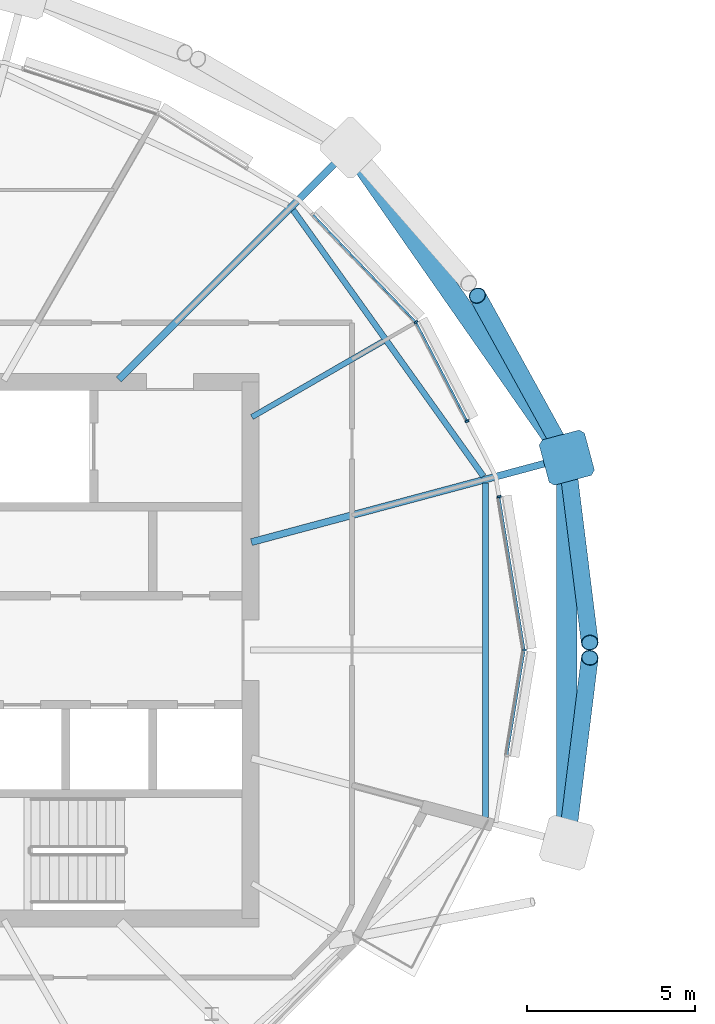
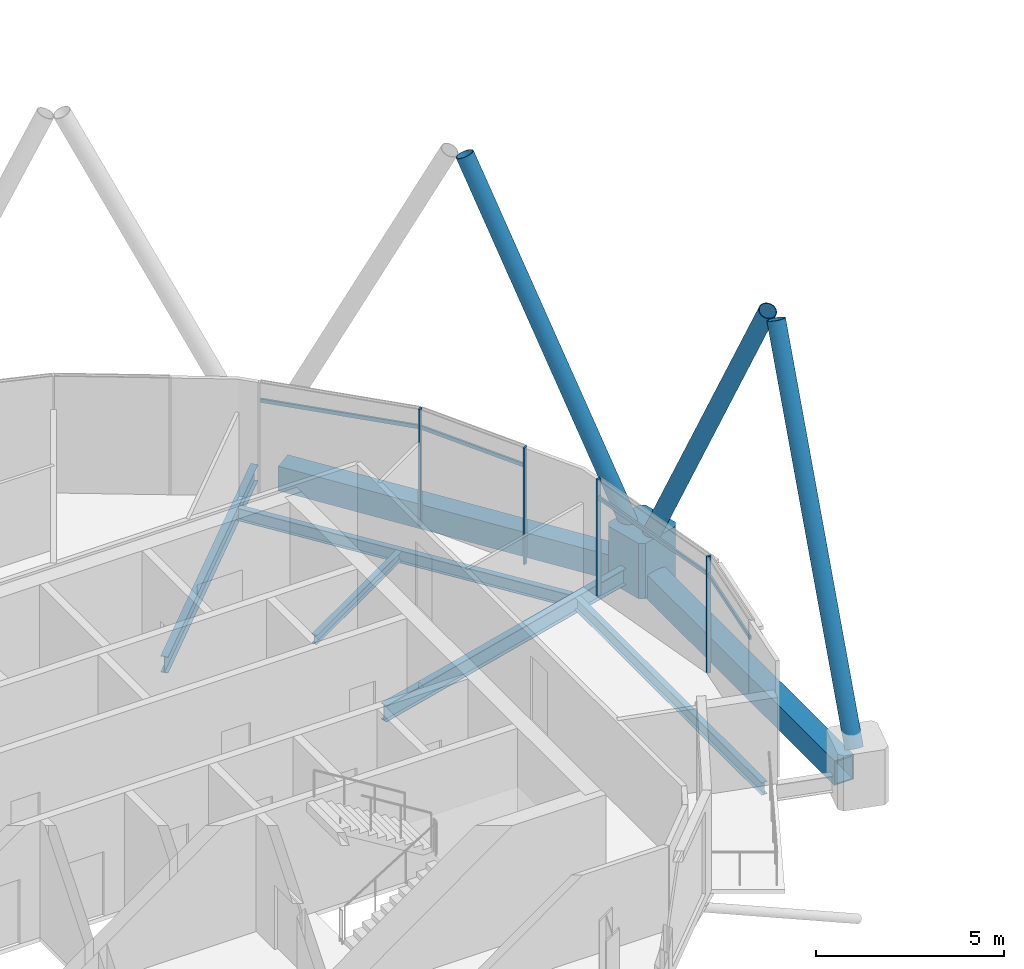
# One storey, part 7 of 31: 12 members, 7 beams, 1 element without a shape of its own.
"""IFC4 building model written with IfcOpenShell, lengths in metres."""

from ifc_helpers import new_model, si_unit, direction, frame, origin, origin_2d, place, context, subcontext, project, spatial, polyline, rectangle, hollow_rectangle, hollow_circle, i_section, outline, extrude, material, material_profile, profile_set, type_object, element, aggregate, save


model = new_model("IFC4")

# Units and contexts
model_context = context("Model", 3, precision=1e-05, world=origin(), true_north=direction((0.0, 1.0)))
body_context = subcontext(model_context, "Body", "Model", "MODEL_VIEW")
ifc_project = project(units=[si_unit("LENGTHUNIT", "METRE"), si_unit("AREAUNIT", "SQUARE_METRE"), si_unit("VOLUMEUNIT", "CUBIC_METRE"), si_unit("PLANEANGLEUNIT", "RADIAN"), si_unit("MASSUNIT", "GRAM", prefix="KILO")], contexts=[model_context])

# Site, building, storey
site_placement = place(None, origin())
site = spatial("IfcSite", under=ifc_project, at=site_placement, CompositionType="ELEMENT")
building_placement = place(site_placement, origin())
building = spatial("IfcBuilding", under=site, at=building_placement, Name="Rimbun Link Towers", CompositionType="ELEMENT")
storey_placement = place(building_placement, frame((0.0, 0.0, 244.699951171875)))
storey = spatial("IfcBuildingStorey", under=building, at=storey_placement, Name="L60", CompositionType="ELEMENT", Elevation=244.699951171875)

# Curtain wall, members
ifc_material_1 = material(Name="Aluminium 6063-T6 and low-iron glass", Category="aluminium")
curtain_wall_type = type_object("IfcCurtainWallType", Name="CW1-Z4 unitised vision wall (zone 4)", PredefinedType="NOTDEFINED", material=ifc_material_1)
curtain_wall_placement = place(storey_placement, origin())
curtain_wall = element("IfcCurtainWall", 1, at=curtain_wall_placement, inside=storey, type_object=curtain_wall_type, Name="CW1 L60 T1", PredefinedType="NOTDEFINED")
ifc_material_2 = material(Name="Aluminium 6063-T6", Category="aluminium")
ifc_material_profile_1 = material_profile(ifc_material_2, rectangle(XDim=0.1201171875, YDim=0.06005859375, at=origin_2d()), Name="MULLION 60X120")
ifc_profile_set_1 = profile_set([ifc_material_profile_1], Name="Aluminium 6063-T6")
member_type_1 = type_object("IfcMemberType", Name="CW1 mullion 60X120", PredefinedType="MULLION", material=ifc_profile_set_1)
member_1_placement = place(storey_placement, frame((-12.334228515625, 4.578125, 0.0), z_axis=(0.0, 0.0, 1.0), x_axis=(0.986747677327, 0.162262199201, 0.0)))
member_1 = element("IfcMember", 2, at=member_1_placement, type_object=member_type_1, Name="CW1 mullion", PredefinedType="MULLION", context=body_context, shape_type="SweptSolid", body=[
    extrude(rectangle(XDim=0.1201171875, YDim=0.06005859375, at=origin_2d()), origin(), (0.0, 0.0, 1.0), 3.800048828125),
])
member_2_placement = place(storey_placement, frame((-11.582275390625, 0.0, 0.0), z_axis=(0.0, 0.0, 1.0), x_axis=(1.0, 0.0, 0.0)))
member_2 = element("IfcMember", 3, at=member_2_placement, type_object=member_type_1, Name="CW1 mullion", PredefinedType="MULLION", context=body_context, shape_type="SweptSolid", body=[
    extrude(rectangle(XDim=0.1201171875, YDim=0.06005859375, at=origin_2d()), origin(), (0.0, 0.0, 1.0), 3.800048828125),
])
member_3_placement = place(storey_placement, frame((-14.816162109375, 9.783447265625, 0.0), z_axis=(0.0, 0.0, 1.0), x_axis=(0.813354276071, 0.581768701115, 0.0)))
member_3 = element("IfcMember", 4, at=member_3_placement, type_object=member_type_1, Name="CW1 mullion", PredefinedType="MULLION", context=body_context, shape_type="SweptSolid", body=[
    extrude(rectangle(XDim=0.1201171875, YDim=0.06005859375, at=origin_2d()), origin(), (0.0, 0.0, 1.0), 3.800048828125),
])
member_4_placement = place(storey_placement, frame((-13.287841796875, 6.8310546875, 0.0), z_axis=(0.0, 0.0, 1.0), x_axis=(0.888150898734, 0.459551935126, 0.0)))
member_4 = element("IfcMember", 5, at=member_4_placement, type_object=member_type_1, Name="CW1 mullion", PredefinedType="MULLION", context=body_context, shape_type="SweptSolid", body=[
    extrude(rectangle(XDim=0.1201171875, YDim=0.06005859375, at=origin_2d()), origin(), (0.0, 0.0, 1.0), 3.800048828125),
])
ifc_material_3 = material(Name="Aluminium 6063-T6", Category="aluminium")
ifc_material_profile_2 = material_profile(ifc_material_3, rectangle(XDim=0.06005859375, YDim=0.1201171875, at=origin_2d()), Name="TRANSOM 60X120")
ifc_profile_set_2 = profile_set([ifc_material_profile_2], Name="Aluminium 6063-T6")
member_type_2 = type_object("IfcMemberType", Name="CW1 transom 60X120", PredefinedType="USERDEFINED", material=ifc_profile_set_2)
member_5_placement = place(storey_placement, frame((-12.33154296875, 4.54833984375, 3.199951171875), z_axis=(0.162302085284, -0.986741117575, 0.0), x_axis=(0.986741117575, 0.162302085284, 0.0)))
member_5 = element("IfcMember", 6, at=member_5_placement, type_object=member_type_2, Name="CW1 transom", ObjectType="TRANSOM", PredefinedType="USERDEFINED", context=body_context, shape_type="SweptSolid", body=[
    extrude(rectangle(XDim=0.06005859375, YDim=0.1201171875, at=origin_2d()), origin(), (0.0, 0.0, 1.0), 4.56982421875),
])
member_6_placement = place(storey_placement, frame((-14.799560546875, 9.74853515625, 3.199951171875), z_axis=(0.459528996767, -0.888162767251, 0.0), x_axis=(0.888162767251, 0.459528996767, 0.0)))
member_6 = element("IfcMember", 7, at=member_6_placement, type_object=member_type_2, Name="CW1 transom", ObjectType="TRANSOM", PredefinedType="USERDEFINED", context=body_context, shape_type="SweptSolid", body=[
    extrude(rectangle(XDim=0.06005859375, YDim=0.1201171875, at=origin_2d()), origin(), (0.0, 0.0, 1.0), 3.255615234375),
])
member_7_placement = place(storey_placement, frame((-17.880126953125, 12.9775390625, 3.199951171875), z_axis=(0.692037083084, -0.721861950539, 0.0), x_axis=(0.721861950539, 0.692037083084, 0.0)))
member_7 = element("IfcMember", 8, at=member_7_placement, type_object=member_type_2, Name="CW1 transom", ObjectType="TRANSOM", PredefinedType="USERDEFINED", context=body_context, shape_type="SweptSolid", body=[
    extrude(rectangle(XDim=0.06005859375, YDim=0.1201171875, at=origin_2d()), origin(), (0.0, 0.0, 1.0), 4.3876953125),
])
member_8_placement = place(storey_placement, frame((-11.58984375, -0.0390625, 3.199951171875), z_axis=(-0.162304717263, -0.986740684655, 0.0), x_axis=(0.986740684655, -0.162304717263, 0.0)))
member_8 = element("IfcMember", 9, at=member_8_placement, type_object=member_type_2, Name="CW1 transom", ObjectType="TRANSOM", PredefinedType="USERDEFINED", context=body_context, shape_type="SweptSolid", body=[
    extrude(rectangle(XDim=0.06005859375, YDim=0.1201171875, at=origin_2d()), origin(), (0.0, 0.0, 1.0), 3.11962890625),
])
aggregate(curtain_wall, [member_1, member_2, member_3, member_4, member_5, member_6, member_7, member_8])

# Members
ifc_material_4 = material(Name="Steel S355J2H", Category="steel")
ifc_material_profile_3 = material_profile(ifc_material_4, hollow_circle(Radius=0.25390625, WallThickness=0.02001953125, at=origin_2d()), Name="Diagrid diagonal CHS 508x20")
ifc_profile_set_3 = profile_set([ifc_material_profile_3], Name="Steel S355J2H")
member_type_3 = type_object("IfcMemberType", Name="Diagrid diagonal CHS 508x20", PredefinedType="BRACE", material=ifc_profile_set_3)
member_9_placement = place(storey_placement, frame((-10.28955078125, 5.518310546875, 0.44580078125), z_axis=(0.055809660669, -0.449191118149, 0.891690877576), x_axis=(0.992369840819, 0.123296792472, 0.0)))
element("IfcMember", 10, at=member_9_placement, inside=storey, type_object=member_type_3, Name="Diagrid diagonal T1 L60-L63 01a", PredefinedType="BRACE", context=body_context, shape_type="SweptSolid", body=[
    extrude(hollow_circle(Radius=0.25390625, WallThickness=0.02001953125, at=origin_2d()), origin(), (0.0, 0.0, 1.0), 11.784912109375),
])
member_10_placement = place(storey_placement, frame((-10.42626953125, 5.939697265625, 0.446533203125), z_axis=(-0.217507737355, 0.393908545908, 0.893043359334), x_axis=(-0.875409479865, -0.483382087549, 0.0)))
element("IfcMember", 11, at=member_10_placement, inside=storey, type_object=member_type_3, Name="Diagrid diagonal T1 L60-L63 01b", PredefinedType="BRACE", context=body_context, shape_type="SweptSolid", body=[
    extrude(hollow_circle(Radius=0.25390625, WallThickness=0.02001953125, at=origin_2d()), origin(), (0.0, 0.0, 1.0), 11.765380859375),
])
member_11_placement = place(storey_placement, frame((-10.28955078125, -5.518310546875, 0.44580078125), z_axis=(0.055809660669, 0.449191118149, 0.891690877576), x_axis=(-0.992369840819, 0.123296792472, 0.0)))
element("IfcMember", 12, at=member_11_placement, inside=storey, type_object=member_type_3, Name="Diagrid diagonal T1 L60-L63 23b", PredefinedType="BRACE", context=body_context, shape_type="SweptSolid", body=[
    extrude(hollow_circle(Radius=0.25390625, WallThickness=0.02001953125, at=origin_2d()), origin(), (0.0, 0.0, 1.0), 11.784912109375),
])
ifc_material_5 = material(Name="Cast steel G20Mn5+QT, Rp0.2 300 MPa", Category="steel")
ifc_material_profile_4 = material_profile(ifc_material_5, outline(polyline([(0.699951171875, -0.570068359375), (0.699951171875, 0.570068359375), (0.570068359375, 0.699951171875), (-0.570068359375, 0.699951171875), (-0.699951171875, 0.570068359375), (-0.699951171875, -0.570068359375), (-0.570068359375, -0.699951171875), (0.570068359375, -0.699951171875), (0.699951171875, -0.570068359375)])), Name="NODE 1400x1400")
ifc_profile_set_4 = profile_set([ifc_material_profile_4], Name="Cast steel G20Mn5+QT, Rp0.2 300 MPa")
member_type_4 = type_object("IfcMemberType", Name="Diagrid node cast 1400", PredefinedType="USERDEFINED", material=ifc_profile_set_4)
member_12_placement = place(storey_placement, frame((-10.3173828125, 5.742919921875, -0.89990234375), z_axis=(0.0, 0.0, 1.0), x_axis=(0.965925826289, 0.258819045103, 0.0)))
element("IfcMember", 13, at=member_12_placement, inside=storey, type_object=member_type_4, Name="Diagrid node L60 01", ObjectType="Diagrid node", PredefinedType="USERDEFINED", context=body_context, shape_type="SweptSolid", body=[
    extrude(outline(polyline([(0.699951171875, -0.570068359375), (0.699951171875, 0.570068359375), (0.570068359375, 0.699951171875), (-0.570068359375, 0.699951171875), (-0.699951171875, 0.570068359375), (-0.699951171875, -0.570068359375), (-0.570068359375, -0.699951171875), (0.570068359375, -0.699951171875), (0.699951171875, -0.570068359375)])), origin(), (0.0, 0.0, 1.0), 1.800048828125),
])

# Beams
ifc_material_6 = material(Name="Steel S355J2", Category="steel")
ifc_material_profile_5 = material_profile(ifc_material_6, hollow_rectangle(XDim=0.60009765625, YDim=0.800048828125, WallThickness=0.0400390625, at=origin_2d()), Name="Exoskeleton ring girder BOX 600x800x40")
ifc_profile_set_5 = profile_set([ifc_material_profile_5], Name="Steel S355J2")
beam_type_1 = type_object("IfcBeamType", Name="Exoskeleton ring girder BOX 600x800x40", PredefinedType="BEAM", material=ifc_profile_set_5)
beam_1_placement = place(storey_placement, frame((-10.718017578125, 6.31689453125, -0.56005859375), z_axis=(-0.572374294954, 0.819992479524, 0.0), x_axis=(-0.819992479524, -0.572374294954, 0.0)))
element("IfcBeam", 14, at=beam_1_placement, inside=storey, type_object=beam_type_1, Name="Exoskeleton ring girder L60 00", PredefinedType="BEAM", context=body_context, shape_type="SweptSolid", body=[
    extrude(hollow_rectangle(XDim=0.60009765625, YDim=0.800048828125, WallThickness=0.0400390625, at=origin_2d()), origin(), (0.0, 0.0, 1.0), 9.868408203125),
])
beam_2_placement = place(storey_placement, frame((-10.3173828125, -5.042724609375, -0.56005859375), z_axis=(0.0, 1.0, 0.0), x_axis=(-1.0, 0.0, 0.0)))
element("IfcBeam", 15, at=beam_2_placement, inside=storey, type_object=beam_type_1, Name="Exoskeleton ring girder L60 09", PredefinedType="BEAM", context=body_context, shape_type="SweptSolid", body=[
    extrude(hollow_rectangle(XDim=0.60009765625, YDim=0.800048828125, WallThickness=0.0400390625, at=origin_2d()), origin(), (0.0, 0.0, 1.0), 10.08544921875),
])
ifc_material_7 = material(Name="Steel S355J2", Category="steel")
ifc_material_profile_6 = material_profile(ifc_material_7, i_section(OverallWidth=0.1650390625, OverallDepth=0.303466796875, WebThickness=0.006103515625, FlangeThickness=0.01025390625, at=origin_2d()), Name="UB 305x165x40")
ifc_profile_set_6 = profile_set([ifc_material_profile_6], Name="Steel S355J2")
beam_type_2 = type_object("IfcBeamType", Name="UB 305x165x40", PredefinedType="BEAM", material=ifc_profile_set_6)
beam_3_placement = place(storey_placement, frame((-19.7080078125, 6.952392578125, -0.291748046875), z_axis=(0.866024614991, 0.500001366228, 0.0), x_axis=(-0.500001366228, 0.866024614991, 0.0)))
element("IfcBeam", 16, at=beam_3_placement, inside=storey, type_object=beam_type_2, Name="Radial beam T1 L60 02", PredefinedType="BEAM", context=body_context, shape_type="SweptSolid", body=[
    extrude(i_section(OverallWidth=0.1650390625, OverallDepth=0.303466796875, WebThickness=0.006103515625, FlangeThickness=0.01025390625, at=origin_2d()), origin(), (0.0, 0.0, 1.0), 4.52099609375),
])
ifc_material_8 = material(Name="Steel S355J2", Category="steel")
ifc_material_profile_7 = material_profile(ifc_material_8, i_section(OverallWidth=0.177978515625, OverallDepth=0.406494140625, WebThickness=0.0078125, FlangeThickness=0.0126953125, at=origin_2d()), Name="UB 406x178x60")
ifc_profile_set_7 = profile_set([ifc_material_profile_7], Name="Steel S355J2")
beam_type_3 = type_object("IfcBeamType", Name="UB 406x178x60", PredefinedType="BEAM", material=ifc_profile_set_7)
beam_4_placement = place(storey_placement, frame((-12.8037109375, 5.18603515625, -0.34326171875), z_axis=(-0.581517474093, 0.81353391283, 0.0), x_axis=(-0.81353391283, -0.581517474093, 0.0)))
element("IfcBeam", 17, at=beam_4_placement, inside=storey, type_object=beam_type_3, Name="Edge beam T1 L60 01-03", PredefinedType="BEAM", context=body_context, shape_type="SweptSolid", body=[
    extrude(i_section(OverallWidth=0.177978515625, OverallDepth=0.406494140625, WebThickness=0.0078125, FlangeThickness=0.0126953125, at=origin_2d()), origin(), (0.0, 0.0, 1.0), 9.756591796875),
])
beam_5_placement = place(storey_placement, frame((-12.738037109375, -4.98486328125, -0.34326171875), z_axis=(0.0, 1.0, 0.0), x_axis=(-1.0, 0.0, 0.0)))
element("IfcBeam", 18, at=beam_5_placement, inside=storey, type_object=beam_type_3, Name="Edge beam T1 L60 23-01", PredefinedType="BEAM", context=body_context, shape_type="SweptSolid", body=[
    extrude(i_section(OverallWidth=0.177978515625, OverallDepth=0.406494140625, WebThickness=0.0078125, FlangeThickness=0.0126953125, at=origin_2d()), origin(), (0.0, 0.0, 1.0), 9.9697265625),
])
ifc_material_9 = material(Name="Steel S355J2", Category="steel")
ifc_material_profile_8 = material_profile(ifc_material_9, i_section(OverallWidth=0.209228515625, OverallDepth=0.533203125, WebThickness=0.010009765625, FlangeThickness=0.015625, at=origin_2d()), Name="UB 533x210x92")
ifc_profile_set_8 = profile_set([ifc_material_profile_8], Name="Steel S355J2")
beam_type_4 = type_object("IfcBeamType", Name="UB 533x210x92", PredefinedType="BEAM", material=ifc_profile_set_8)
beam_6_placement = place(storey_placement, frame((-19.721923828125, 3.222900390625, -0.406494140625), z_axis=(0.965928465544, 0.258809195067, 0.0), x_axis=(-0.258809195067, 0.965928465544, 0.0)))
element("IfcBeam", 19, at=beam_6_placement, inside=storey, type_object=beam_type_4, Name="Radial beam T1 L60 01", PredefinedType="BEAM", context=body_context, shape_type="SweptSolid", body=[
    extrude(i_section(OverallWidth=0.209228515625, OverallDepth=0.533203125, WebThickness=0.010009765625, FlangeThickness=0.015625, at=origin_2d()), origin(), (0.0, 0.0, 1.0), 9.236083984375),
])
beam_7_placement = place(storey_placement, frame((-23.67529296875, 8.07470703125, -0.406494140625), z_axis=(0.707106781187, 0.707106781187, 0.0), x_axis=(-0.707106781187, 0.707106781187, 0.0)))
element("IfcBeam", 20, at=beam_7_placement, inside=storey, type_object=beam_type_4, Name="Radial beam T1 L60 03", PredefinedType="BEAM", context=body_context, shape_type="SweptSolid", body=[
    extrude(i_section(OverallWidth=0.209228515625, OverallDepth=0.533203125, WebThickness=0.010009765625, FlangeThickness=0.015625, at=origin_2d()), origin(), (0.0, 0.0, 1.0), 9.269775390625),
])

save(model, "model.ifc")
